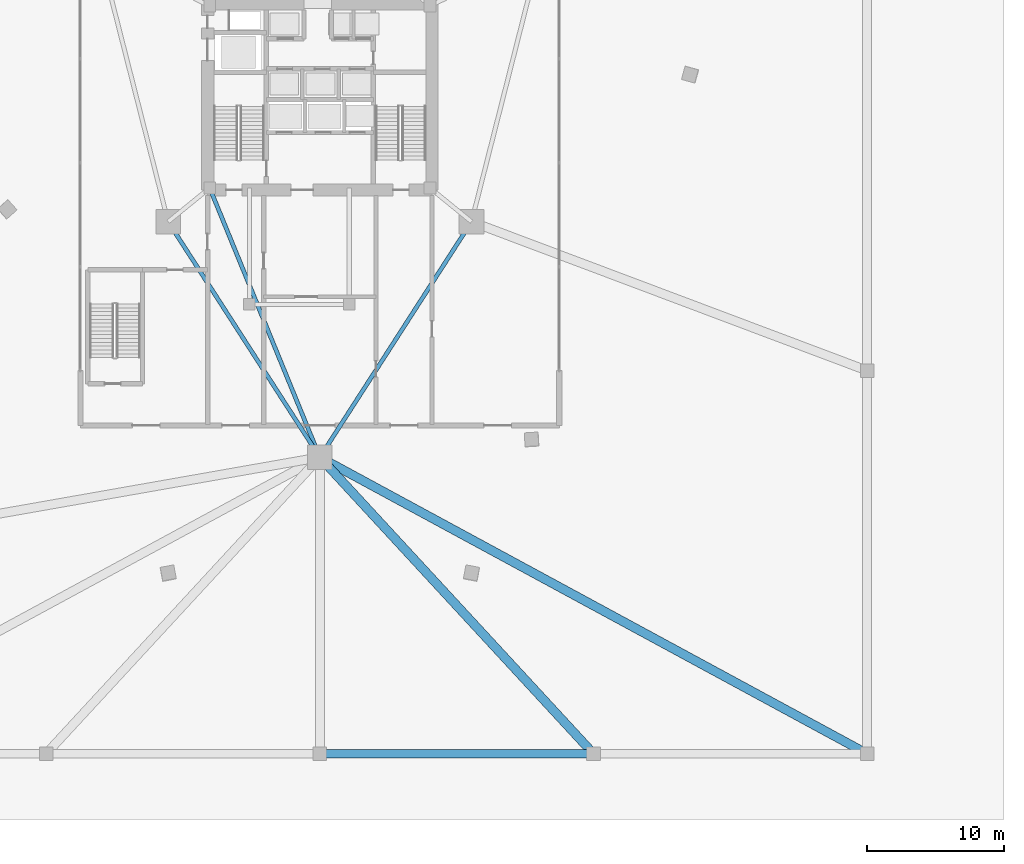
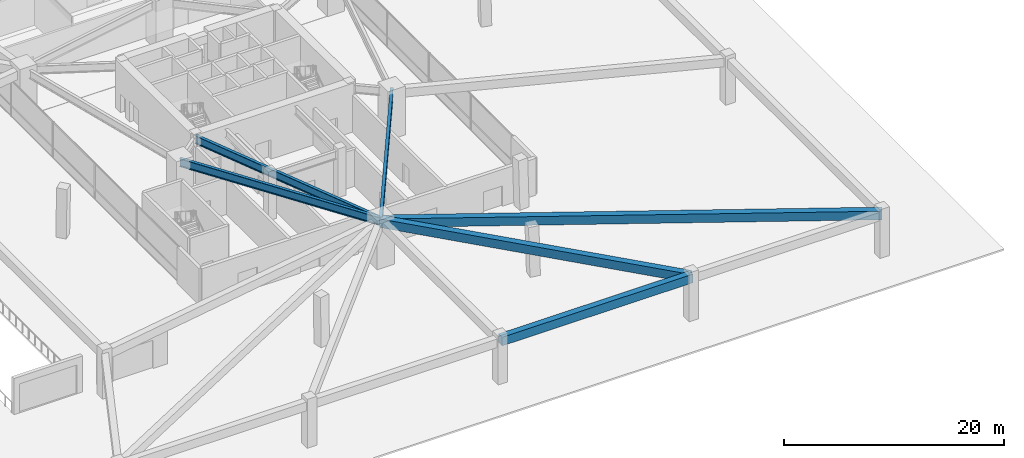
# One storey, part 3 of 19: 6 beams.
"""IFC4 building model written with IfcOpenShell, lengths in metres."""

from ifc_helpers import new_model, si_unit, direction, frame, origin, origin_2d, place, context, subcontext, project, spatial, rectangle, i_section, extrude, material, material_profile, profile_set, type_object, element, save


model = new_model("IFC4")

# Units and contexts
model_context = context("Model", 3, precision=1e-05, world=origin(), true_north=direction((0.0, 1.0)))
body_context = subcontext(model_context, "Body", "Model", "MODEL_VIEW")
ifc_project = project(units=[si_unit("LENGTHUNIT", "METRE"), si_unit("AREAUNIT", "SQUARE_METRE"), si_unit("VOLUMEUNIT", "CUBIC_METRE"), si_unit("PLANEANGLEUNIT", "RADIAN"), si_unit("MASSUNIT", "GRAM", prefix="KILO")], contexts=[model_context])

# Site, building, storey
site_placement = place(None, origin())
site = spatial("IfcSite", under=ifc_project, at=site_placement, CompositionType="ELEMENT")
building_placement = place(site_placement, origin())
building = spatial("IfcBuilding", under=site, at=building_placement, Name="Talyreon Biosciences Tower", CompositionType="ELEMENT")
storey_placement = place(building_placement, origin())
storey = spatial("IfcBuildingStorey", under=building, at=storey_placement, Name="L00", CompositionType="ELEMENT", Elevation=0.0)

# Beams
ifc_material_1 = material(Name="Concrete C50/60", Category="concrete")
ifc_material_profile_1 = material_profile(ifc_material_1, rectangle(XDim=0.64990234375, YDim=0.949951171875, at=origin_2d()), Name="RCB 650x950")
ifc_profile_set_1 = profile_set([ifc_material_profile_1], Name="Concrete C50/60")
beam_type_1 = type_object("IfcBeamType", Name="PodiumGirder_650x950", PredefinedType="T_BEAM", material=ifc_profile_set_1)
beam_1_placement = place(storey_placement, frame((66.0, 20.0, 4.52490234375), z_axis=(1.0, 0.0, 0.0), x_axis=(0.0, 1.0, 0.0)))
element("IfcBeam", 1, at=beam_1_placement, inside=storey, type_object=beam_type_1, Name="L00 Podium Perimeter Ring Girder 03", PredefinedType="T_BEAM", context=body_context, shape_type="SweptSolid", body=[
    extrude(rectangle(XDim=0.64990234375, YDim=0.949951171875, at=origin_2d()), origin(), (0.0, 0.0, 1.0), 20.0),
])
beam_2_placement = place(storey_placement, frame((66.0, 41.6669921875, 4.52490234375), z_axis=(0.678274600536, -0.73480852354, 0.0), x_axis=(0.73480852354, 0.678274600536, 0.0)))
element("IfcBeam", 2, at=beam_2_placement, inside=storey, type_object=beam_type_1, Name="L00 Podium Radial Tie Girder PDC04", PredefinedType="T_BEAM", context=body_context, shape_type="SweptSolid", body=[
    extrude(rectangle(XDim=0.64990234375, YDim=0.949951171875, at=origin_2d()), origin(), (0.0, 0.0, 1.0), 29.486572265625),
])
beam_3_placement = place(storey_placement, frame((66.0, 41.6669921875, 4.52490234375), z_axis=(0.879288969782, -0.47628868097, 0.0), x_axis=(0.47628868097, 0.879288969782, 0.0)))
element("IfcBeam", 3, at=beam_3_placement, inside=storey, type_object=beam_type_1, Name="L00 Podium Radial Tie Girder PDC05", PredefinedType="T_BEAM", context=body_context, shape_type="SweptSolid", body=[
    extrude(rectangle(XDim=0.64990234375, YDim=0.949951171875, at=origin_2d()), origin(), (0.0, 0.0, 1.0), 45.4912109375),
])
ifc_material_2 = material(Name="Steel SM420", Category="steel")
ifc_material_profile_2 = material_profile(ifc_material_2, i_section(OverallWidth=0.300048828125, OverallDepth=0.89990234375, WebThickness=0.0185546875, FlangeThickness=0.034912109375, FilletRadius=0.030029296875, at=origin_2d()), Name="HE900B")
ifc_profile_set_2 = profile_set([ifc_material_profile_2], Name="Steel SM420")
beam_type_2 = type_object("IfcBeamType", Name="SteelGirder_HE900B", PredefinedType="BEAM", material=ifc_profile_set_2)
for number, where, z_axis, x_axis, name in (
    (4, (66.0, 41.6669921875, 4.550048828125), (0.541463723609, 0.840724114092, 0.0), (-0.840724114092, 0.541463723609, 0.0), "L00 Mega-Ring Girder 1"),
    (5, (54.913818359375, 58.88037109375, 4.550048828125), (0.541463723609, -0.840724114092, 0.0), (0.840724114092, 0.541463723609, 0.0), "L00 Mega-Ring Girder 6"),
):
    element("IfcBeam", number, at=place(storey_placement, frame(where, z_axis=z_axis, x_axis=x_axis)), inside=storey, type_object=beam_type_2, Name=name, PredefinedType="BEAM", context=body_context, shape_type="SweptSolid", body=[
        extrude(i_section(OverallWidth=0.300048828125, OverallDepth=0.89990234375, WebThickness=0.0185546875, FlangeThickness=0.034912109375, FilletRadius=0.030029296875, at=origin_2d()), origin(), (0.0, 0.0, 1.0), 20.474365234375),
    ])
beam_4_placement = place(storey_placement, frame((57.949951171875, 61.35009765625, 4.550048828125), z_axis=(0.378547014545, -0.925582064314, 0.0), x_axis=(0.925582064314, 0.378547014545, 0.0)))
element("IfcBeam", 6, at=beam_4_placement, inside=storey, type_object=beam_type_2, Name="L00 Radial Primary Girder 1", PredefinedType="BEAM", context=body_context, shape_type="SweptSolid", body=[
    extrude(i_section(OverallWidth=0.300048828125, OverallDepth=0.89990234375, WebThickness=0.0185546875, FlangeThickness=0.034912109375, FilletRadius=0.030029296875, at=origin_2d()), origin(), (0.0, 0.0, 1.0), 21.265625),
])

save(model, "model.ifc")
